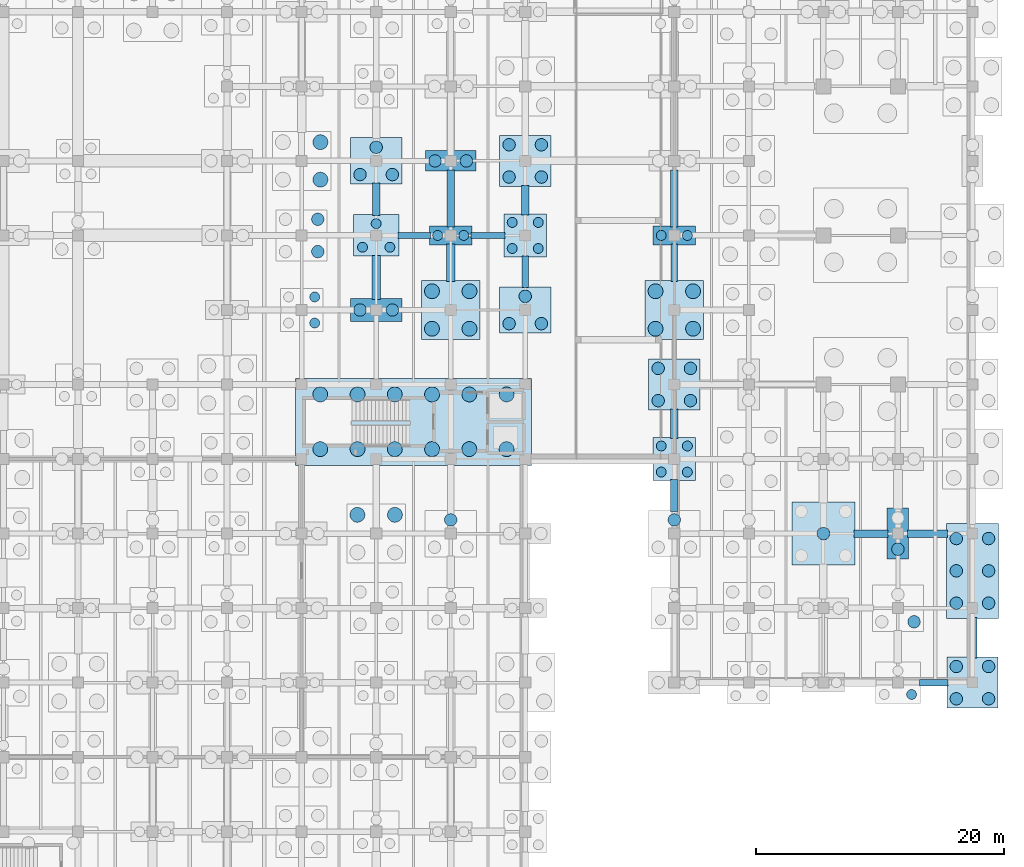
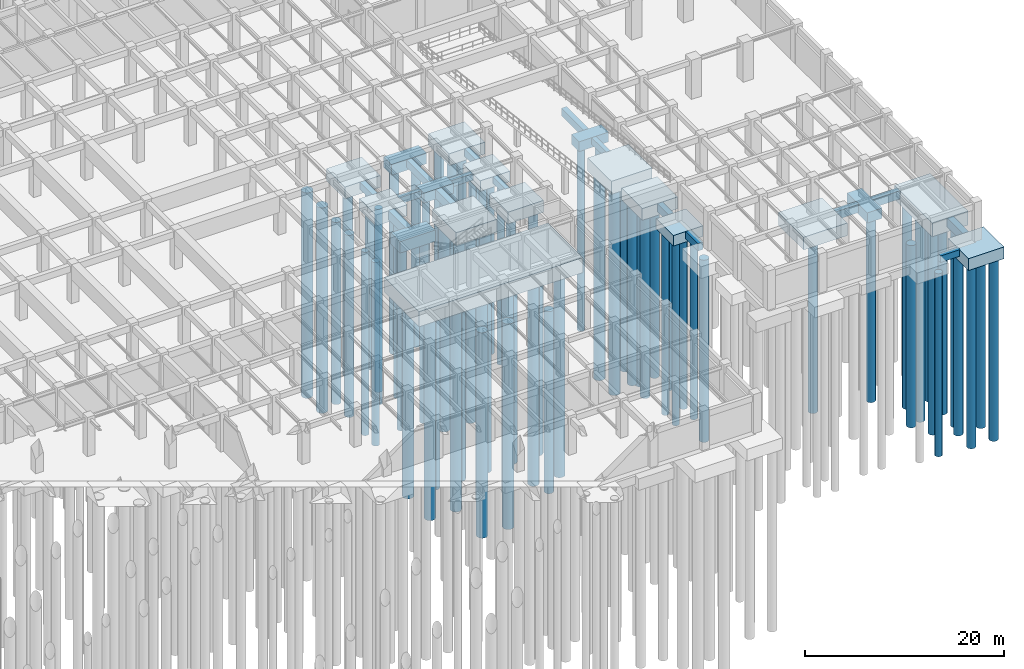
# One storey, part 18 of 54: 77 piles, 34 footings.
"""IFC4 building model written with IfcOpenShell, lengths in metres."""

from ifc_helpers import new_model, si_unit, direction, frame, origin, origin_2d, place, context, subcontext, project, spatial, rectangle, circle, extrude, material, material_profile, profile_set, type_object, element, save


model = new_model("IFC4")

# Units and contexts
model_context = context("Model", 3, precision=1e-05, world=origin(), true_north=direction((0.0, 1.0)))
body_context = subcontext(model_context, "Body", "Model", "MODEL_VIEW")
ifc_project = project(units=[si_unit("LENGTHUNIT", "METRE"), si_unit("AREAUNIT", "SQUARE_METRE"), si_unit("VOLUMEUNIT", "CUBIC_METRE"), si_unit("PLANEANGLEUNIT", "RADIAN"), si_unit("MASSUNIT", "GRAM", prefix="KILO"), si_unit("THERMODYNAMICTEMPERATUREUNIT", "KELVIN"), si_unit("POWERUNIT", "WATT")], contexts=[model_context])

# Site, building, storey
site_placement = place(None, origin())
site = spatial("IfcSite", under=ifc_project, at=site_placement, CompositionType="ELEMENT")
building_placement = place(site_placement, origin())
building = spatial("IfcBuilding", under=site, at=building_placement, Name="Phaisarnlok Congress Hotel", CompositionType="ELEMENT")
storey_placement = place(building_placement, frame((0.0, 0.0, -4.800048828125)))
storey = spatial("IfcBuildingStorey", under=building, at=storey_placement, Name="B01", CompositionType="ELEMENT", Elevation=-4.800048828125)

# Footings
ifc_material_1 = material(Name="Concrete C40/50", Category="concrete")
footing_type_1 = type_object("IfcFootingType", Name="CAP-2P-A", PredefinedType="PILE_CAP", material=ifc_material_1)
for number, where, z_axis, x_axis, name in (
    (1, (138.0, 54.0, -1.69970703125), (0.0, 0.0, 1.0), (1.0, 0.0, 0.0), "Pile cap PC-01 at (138,54)"),
    (2, (156.0, 54.0, -1.69970703125), (0.0, 0.0, 1.0), (1.0, 0.0, 0.0), "Pile cap PC-01 at (156,54)"),
):
    element("IfcFooting", number, at=place(storey_placement, frame(where, z_axis=z_axis, x_axis=x_axis)), inside=storey, type_object=footing_type_1, Name=name, PredefinedType="PILE_CAP", context=body_context, shape_type="SweptSolid", body=[
        extrude(rectangle(XDim=3.43994140625, YDim=1.5400390625, at=origin_2d()), origin(), (0.0, 0.0, 1.0), 1.199951171875),
    ])
footing_type_2 = type_object("IfcFootingType", Name="CAP-2P-B", PredefinedType="PILE_CAP", material=ifc_material_1)
footing_1_placement = place(storey_placement, frame((138.0, 60.0, -1.7998046875), z_axis=(0.0, 0.0, 1.0), x_axis=(1.0, 0.0, 0.0)))
element("IfcFooting", 3, at=footing_1_placement, inside=storey, type_object=footing_type_2, Name="Pile cap PC-02 at (138,60)", PredefinedType="PILE_CAP", context=body_context, shape_type="SweptSolid", body=[
    extrude(rectangle(XDim=4.080078125, YDim=1.639892578125, at=origin_2d()), origin(), (0.0, 0.0, 1.0), 1.300048828125),
])
footing_type_3 = type_object("IfcFootingType", Name="CAP-2P-C", PredefinedType="PILE_CAP", material=ifc_material_1)
footing_2_placement = place(storey_placement, frame((132.0, 48.0, -1.89990234375), z_axis=(0.0, 0.0, 1.0), x_axis=(1.0, 0.0, 0.0)))
element("IfcFooting", 4, at=footing_2_placement, inside=storey, type_object=footing_type_3, Name="Pile cap PC-03 at (132,48)", PredefinedType="PILE_CAP", context=body_context, shape_type="SweptSolid", body=[
    extrude(rectangle(XDim=4.1201171875, YDim=1.840087890625, at=origin_2d()), origin(), (0.0, 0.0, 1.0), 1.39990234375),
])
footing_type_4 = type_object("IfcFootingType", Name="CAP-2P-D", PredefinedType="PILE_CAP", material=ifc_material_1)
footing_3_placement = place(storey_placement, frame((174.0, 30.0, -1.75), z_axis=(0.0, 0.0, 1.0), x_axis=(1.0, 0.0, 0.0)))
element("IfcFooting", 5, at=footing_3_placement, inside=storey, type_object=footing_type_4, Name="Pile cap PC-14 at (174,30)", PredefinedType="PILE_CAP", context=body_context, shape_type="SweptSolid", body=[
    extrude(rectangle(XDim=1.719970703125, YDim=4.080078125, at=origin_2d()), origin(), (0.0, 0.0, 1.0), 1.25),
])
footing_type_5 = type_object("IfcFootingType", Name="CAP-3P-A", PredefinedType="PILE_CAP", material=ifc_material_1)
footing_4_placement = place(storey_placement, frame((132.0, 54.0, -1.85009765625), z_axis=(0.0, 0.0, 1.0), x_axis=(1.0, 0.0, 0.0)))
element("IfcFooting", 6, at=footing_4_placement, inside=storey, type_object=footing_type_5, Name="Pile cap PC-04 at (132,54)", PredefinedType="PILE_CAP", context=body_context, shape_type="SweptSolid", body=[
    extrude(rectangle(XDim=3.639892578125, YDim=3.340087890625, at=origin_2d()), origin(), (0.0, 0.0, 1.0), 1.35009765625),
])
footing_type_6 = type_object("IfcFootingType", Name="CAP-3P-B", PredefinedType="PILE_CAP", material=ifc_material_1)
for number, where, z_axis, x_axis, name in (
    (7, (132.0, 60.0, -1.94970703125), (0.0, 0.0, 1.0), (1.0, 0.0, 0.0), "Pile cap PC-05 at (132,60)"),
    (8, (144.0, 48.0, -1.94970703125), (0.0, 0.0, 1.0), (1.0, 0.0, 0.0), "Pile cap PC-05 at (144,48)"),
):
    element("IfcFooting", number, at=place(storey_placement, frame(where, z_axis=z_axis, x_axis=x_axis)), inside=storey, type_object=footing_type_6, Name=name, PredefinedType="PILE_CAP", context=body_context, shape_type="SweptSolid", body=[
        extrude(rectangle(XDim=4.1201171875, YDim=3.739990234375, at=origin_2d()), origin(), (0.0, 0.0, 1.0), 1.449951171875),
    ])
footing_type_7 = type_object("IfcFootingType", Name="CAP-4P-A", PredefinedType="PILE_CAP", material=ifc_material_1)
for number, where, z_axis, x_axis, name in (
    (9, (144.0, 54.0, -1.7998046875), (0.0, 0.0, 1.0), (1.0, 0.0, 0.0), "Pile cap PC-06 at (144,54)"),
    (10, (156.0, 36.0, -1.7998046875), (0.0, 0.0, 1.0), (1.0, 0.0, 0.0), "Pile cap PC-06 at (156,36)"),
):
    element("IfcFooting", number, at=place(storey_placement, frame(where, z_axis=z_axis, x_axis=x_axis)), inside=storey, type_object=footing_type_7, Name=name, PredefinedType="PILE_CAP", context=body_context, shape_type="SweptSolid", body=[
        extrude(rectangle(XDim=3.43994140625, YDim=3.43994140625, at=origin_2d()), origin(), (0.0, 0.0, 1.0), 1.300048828125),
    ])
footing_type_8 = type_object("IfcFootingType", Name="CAP-4P-B", PredefinedType="PILE_CAP", material=ifc_material_1)
for number, where, z_axis, x_axis, name in (
    (11, (144.0, 60.0, -1.94970703125), (0.0, 0.0, 1.0), (1.0, 0.0, 0.0), "Pile cap PC-07 at (144,60)"),
    (12, (156.0, 42.0, -1.94970703125), (0.0, 0.0, 1.0), (1.0, 0.0, 0.0), "Pile cap PC-07 at (156,42)"),
    (13, (180.0, 18.0, -1.94970703125), (0.0, 0.0, 1.0), (1.0, 0.0, 0.0), "Pile cap PC-07 at (180,18)"),
):
    element("IfcFooting", number, at=place(storey_placement, frame(where, z_axis=z_axis, x_axis=x_axis)), inside=storey, type_object=footing_type_8, Name=name, PredefinedType="PILE_CAP", context=body_context, shape_type="SweptSolid", body=[
        extrude(rectangle(XDim=4.1201171875, YDim=4.1201171875, at=origin_2d()), origin(), (0.0, 0.0, 1.0), 1.449951171875),
    ])
footing_type_9 = type_object("IfcFootingType", Name="CAP-4P-C", PredefinedType="PILE_CAP", material=ifc_material_1)
for number, where, z_axis, x_axis, name in (
    (14, (138.0, 48.0, -2.10009765625), (0.0, 0.0, 1.0), (1.0, 0.0, 0.0), "Pile cap PC-08 at (138,48)"),
    (15, (156.0, 48.0, -2.10009765625), (0.0, 0.0, 1.0), (1.0, 0.0, 0.0), "Pile cap PC-08 at (156,48)"),
):
    element("IfcFooting", number, at=place(storey_placement, frame(where, z_axis=z_axis, x_axis=x_axis)), inside=storey, type_object=footing_type_9, Name=name, PredefinedType="PILE_CAP", context=body_context, shape_type="SweptSolid", body=[
        extrude(rectangle(XDim=4.719970703125, YDim=4.760009765625, at=origin_2d()), origin(), (0.0, 0.0, 1.0), 1.60009765625),
    ])
footing_type_10 = type_object("IfcFootingType", Name="CAP-5P-A", PredefinedType="PILE_CAP", material=ifc_material_1)
footing_5_placement = place(storey_placement, frame((168.0, 30.0, -2.0498046875), z_axis=(0.0, 0.0, 1.0), x_axis=(1.0, 0.0, 0.0)))
element("IfcFooting", 16, at=footing_5_placement, inside=storey, type_object=footing_type_10, Name="Pile cap PC-13 at (168,30)", PredefinedType="PILE_CAP", context=body_context, shape_type="SweptSolid", body=[
    extrude(rectangle(XDim=5.080078125, YDim=5.080078125, at=origin_2d()), origin(), (0.0, 0.0, 1.0), 1.550048828125),
])
footing_type_11 = type_object("IfcFootingType", Name="CAP-6P-B", PredefinedType="PILE_CAP", material=ifc_material_1)
footing_6_placement = place(storey_placement, frame((180.0, 27.0, -2.19970703125), z_axis=(0.0, 0.0, 1.0), x_axis=(1.0, 0.0, 0.0)))
element("IfcFooting", 17, at=footing_6_placement, inside=storey, type_object=footing_type_11, Name="Combined pile cap PC-12 at (180,27)", PredefinedType="PILE_CAP", context=body_context, shape_type="SweptSolid", body=[
    extrude(rectangle(XDim=4.159912109375, YDim=7.639892578125, at=origin_2d()), origin(), (0.0, 0.0, 1.0), 1.699951171875),
])
footing_type_12 = type_object("IfcFootingType", Name="CAP-CORE-H", PredefinedType="PILE_CAP", material=ifc_material_1)
footing_7_placement = place(storey_placement, frame((135.0, 39.0, -2.35009765625), z_axis=(0.0, 0.0, 1.0), x_axis=(1.0, 0.0, 0.0)))
element("IfcFooting", 18, at=footing_7_placement, inside=storey, type_object=footing_type_12, Name="Core pile cap PC-15 (CORE-6)", PredefinedType="PILE_CAP", context=body_context, shape_type="SweptSolid", body=[
    extrude(rectangle(XDim=19.0, YDim=7.0, at=origin_2d()), origin(), (0.0, 0.0, 1.0), 1.85009765625),
])
ifc_material_profile_1 = material_profile(ifc_material_1, rectangle(XDim=0.5, YDim=0.800048828125, at=origin_2d()), Name="FB-500x800")
ifc_profile_set_1 = profile_set([ifc_material_profile_1], Name="Concrete C40/50")
footing_type_13 = type_object("IfcFootingType", Name="FB-500x800", PredefinedType="FOOTING_BEAM", material=ifc_profile_set_1)
footing_8_placement = place(storey_placement, frame((133.7451171875, 54.0, -0.89990234375), z_axis=(1.0, 0.0, 0.0), x_axis=(0.0, 1.0, 0.0)))
element("IfcFooting", 19, at=footing_8_placement, inside=storey, type_object=footing_type_13, Name="Ground tie beam FB-01", PredefinedType="FOOTING_BEAM", context=body_context, shape_type="SweptSolid", body=[
    extrude(rectangle(XDim=0.5, YDim=0.800048828125, at=origin_2d()), origin(), (0.0, 0.0, 1.0), 2.60986328125),
])
footing_9_placement = place(storey_placement, frame((139.64501953125, 54.0, -0.89990234375), z_axis=(1.0, 0.0, 0.0), x_axis=(0.0, 1.0, 0.0)))
element("IfcFooting", 20, at=footing_9_placement, inside=storey, type_object=footing_type_13, Name="Ground tie beam FB-01", PredefinedType="FOOTING_BEAM", context=body_context, shape_type="SweptSolid", body=[
    extrude(rectangle(XDim=0.5, YDim=0.800048828125, at=origin_2d()), origin(), (0.0, 0.0, 1.0), 2.7099609375),
])
footing_10_placement = place(storey_placement, frame((144.0, 49.794921875, -0.89990234375), z_axis=(0.0, 1.0, 0.0), x_axis=(-1.0, 0.0, 0.0)))
element("IfcFooting", 21, at=footing_10_placement, inside=storey, type_object=footing_type_13, Name="Ground tie beam FB-01", PredefinedType="FOOTING_BEAM", context=body_context, shape_type="SweptSolid", body=[
    extrude(rectangle(XDim=0.5, YDim=0.800048828125, at=origin_2d()), origin(), (0.0, 0.0, 1.0), 2.56005859375),
])
footing_11_placement = place(storey_placement, frame((156.0, 50.304931640625, -0.89990234375), z_axis=(0.0, 1.0, 0.0), x_axis=(-1.0, 0.0, 0.0)))
element("IfcFooting", 22, at=footing_11_placement, inside=storey, type_object=footing_type_13, Name="Ground tie beam FB-01", PredefinedType="FOOTING_BEAM", context=body_context, shape_type="SweptSolid", body=[
    extrude(rectangle(XDim=0.5, YDim=0.800048828125, at=origin_2d()), origin(), (0.0, 0.0, 1.0), 3.0),
])
footing_12_placement = place(storey_placement, frame((175.7451171875, 18.0, -0.89990234375), z_axis=(1.0, 0.0, 0.0), x_axis=(0.0, 1.0, 0.0)))
element("IfcFooting", 23, at=footing_12_placement, inside=storey, type_object=footing_type_13, Name="Ground tie beam FB-01", PredefinedType="FOOTING_BEAM", context=body_context, shape_type="SweptSolid", body=[
    extrude(rectangle(XDim=0.5, YDim=0.800048828125, at=origin_2d()), origin(), (0.0, 0.0, 1.0), 2.269775390625),
])
ifc_material_profile_2 = material_profile(ifc_material_1, rectangle(XDim=0.60009765625, YDim=1.0, at=origin_2d()), Name="FB-600x1000")
ifc_profile_set_2 = profile_set([ifc_material_profile_2], Name="Concrete C40/50")
footing_type_14 = type_object("IfcFootingType", Name="FB-600x1000", PredefinedType="FOOTING_BEAM", material=ifc_profile_set_2)
footing_13_placement = place(storey_placement, frame((156.0, 37.64501953125, -1.0), z_axis=(0.0, 1.0, 0.0), x_axis=(-1.0, 0.0, 0.0)))
element("IfcFooting", 24, at=footing_13_placement, inside=storey, type_object=footing_type_14, Name="Ground tie beam FB-03", PredefinedType="FOOTING_BEAM", context=body_context, shape_type="SweptSolid", body=[
    extrude(rectangle(XDim=0.60009765625, YDim=1.0, at=origin_2d()), origin(), (0.0, 0.0, 1.0), 2.369873046875),
])
footing_14_placement = place(storey_placement, frame((170.465087890625, 30.0, -1.0), z_axis=(1.0, 0.0, 0.0), x_axis=(0.0, 1.0, 0.0)))
element("IfcFooting", 25, at=footing_14_placement, inside=storey, type_object=footing_type_14, Name="Ground tie beam FB-03", PredefinedType="FOOTING_BEAM", context=body_context, shape_type="SweptSolid", body=[
    extrude(rectangle(XDim=0.60009765625, YDim=1.0, at=origin_2d()), origin(), (0.0, 0.0, 1.0), 2.75),
])
footing_15_placement = place(storey_placement, frame((174.784912109375, 30.0, -1.0), z_axis=(1.0, 0.0, 0.0), x_axis=(0.0, 1.0, 0.0)))
element("IfcFooting", 26, at=footing_15_placement, inside=storey, type_object=footing_type_14, Name="Ground tie beam FB-03", PredefinedType="FOOTING_BEAM", context=body_context, shape_type="SweptSolid", body=[
    extrude(rectangle(XDim=0.60009765625, YDim=1.0, at=origin_2d()), origin(), (0.0, 0.0, 1.0), 3.210205078125),
])
ifc_material_profile_3 = material_profile(ifc_material_1, rectangle(XDim=0.60009765625, YDim=0.89990234375, at=origin_2d()), Name="FB-600x900")
ifc_profile_set_3 = profile_set([ifc_material_profile_3], Name="Concrete C40/50")
footing_type_15 = type_object("IfcFootingType", Name="FB-600x900", PredefinedType="FOOTING_BEAM", material=ifc_profile_set_3)
footing_16_placement = place(storey_placement, frame((132.0, 55.594970703125, -0.949951171875), z_axis=(0.0, 1.0, 0.0), x_axis=(-1.0, 0.0, 0.0)))
element("IfcFooting", 27, at=footing_16_placement, inside=storey, type_object=footing_type_15, Name="Ground tie beam FB-02", PredefinedType="FOOTING_BEAM", context=body_context, shape_type="SweptSolid", body=[
    extrude(rectangle(XDim=0.60009765625, YDim=0.89990234375, at=origin_2d()), origin(), (0.0, 0.0, 1.0), 2.610107421875),
])
footing_17_placement = place(storey_placement, frame((138.0, 54.695068359375, -0.949951171875), z_axis=(0.0, 1.0, 0.0), x_axis=(-1.0, 0.0, 0.0)))
element("IfcFooting", 28, at=footing_17_placement, inside=storey, type_object=footing_type_15, Name="Ground tie beam FB-02", PredefinedType="FOOTING_BEAM", context=body_context, shape_type="SweptSolid", body=[
    extrude(rectangle(XDim=0.60009765625, YDim=0.89990234375, at=origin_2d()), origin(), (0.0, 0.0, 1.0), 4.559814453125),
])
footing_18_placement = place(storey_placement, frame((144.0, 55.64501953125, -0.949951171875), z_axis=(0.0, 1.0, 0.0), x_axis=(-1.0, 0.0, 0.0)))
element("IfcFooting", 29, at=footing_18_placement, inside=storey, type_object=footing_type_15, Name="Ground tie beam FB-02", PredefinedType="FOOTING_BEAM", context=body_context, shape_type="SweptSolid", body=[
    extrude(rectangle(XDim=0.60009765625, YDim=0.89990234375, at=origin_2d()), origin(), (0.0, 0.0, 1.0), 2.369873046875),
])
footing_19_placement = place(storey_placement, frame((156.0, 31.794921875, -0.949951171875), z_axis=(0.0, 1.0, 0.0), x_axis=(-1.0, 0.0, 0.0)))
element("IfcFooting", 30, at=footing_19_placement, inside=storey, type_object=footing_type_15, Name="Ground tie beam FB-02", PredefinedType="FOOTING_BEAM", context=body_context, shape_type="SweptSolid", body=[
    extrude(rectangle(XDim=0.60009765625, YDim=0.89990234375, at=origin_2d()), origin(), (0.0, 0.0, 1.0), 2.56005859375),
])
footing_20_placement = place(storey_placement, frame((156.0, 54.695068359375, -0.949951171875), z_axis=(0.0, 1.0, 0.0), x_axis=(-1.0, 0.0, 0.0)))
element("IfcFooting", 31, at=footing_20_placement, inside=storey, type_object=footing_type_15, Name="Ground tie beam FB-02", PredefinedType="FOOTING_BEAM", context=body_context, shape_type="SweptSolid", body=[
    extrude(rectangle(XDim=0.60009765625, YDim=0.89990234375, at=origin_2d()), origin(), (0.0, 0.0, 1.0), 4.559814453125),
])
ifc_material_profile_4 = material_profile(ifc_material_1, rectangle(XDim=0.699951171875, YDim=1.10009765625, at=origin_2d()), Name="FB-700x1100")
ifc_profile_set_4 = profile_set([ifc_material_profile_4], Name="Concrete C40/50")
footing_type_16 = type_object("IfcFootingType", Name="FB-700x1100", PredefinedType="FOOTING_BEAM", material=ifc_profile_set_4)
footing_21_placement = place(storey_placement, frame((132.0, 48.844970703125, -1.050048828125), z_axis=(0.0, 1.0, 0.0), x_axis=(-1.0, 0.0, 0.0)))
element("IfcFooting", 32, at=footing_21_placement, inside=storey, type_object=footing_type_16, Name="Ground tie beam FB-04", PredefinedType="FOOTING_BEAM", context=body_context, shape_type="SweptSolid", body=[
    extrude(rectangle(XDim=0.699951171875, YDim=1.10009765625, at=origin_2d()), origin(), (0.0, 0.0, 1.0), 3.56005859375),
])
footing_22_placement = place(storey_placement, frame((138.0, 50.304931640625, -1.050048828125), z_axis=(0.0, 1.0, 0.0), x_axis=(-1.0, 0.0, 0.0)))
element("IfcFooting", 33, at=footing_22_placement, inside=storey, type_object=footing_type_16, Name="Ground tie beam FB-04", PredefinedType="FOOTING_BEAM", context=body_context, shape_type="SweptSolid", body=[
    extrude(rectangle(XDim=0.699951171875, YDim=1.10009765625, at=origin_2d()), origin(), (0.0, 0.0, 1.0), 3.0),
])
footing_23_placement = place(storey_placement, frame((180.0, 19.985107421875, -1.050048828125), z_axis=(0.0, 1.0, 0.0), x_axis=(-1.0, 0.0, 0.0)))
element("IfcFooting", 34, at=footing_23_placement, inside=storey, type_object=footing_type_16, Name="Ground tie beam FB-04", PredefinedType="FOOTING_BEAM", context=body_context, shape_type="SweptSolid", body=[
    extrude(rectangle(XDim=0.699951171875, YDim=1.10009765625, at=origin_2d()), origin(), (0.0, 0.0, 1.0), 3.269775390625),
])

# Piles
ifc_material_2 = material(Name="Concrete C35/45", Category="concrete")
ifc_material_profile_5 = material_profile(ifc_material_2, circle(Radius=0.5, at=origin_2d()), Name="BORED PILE D1000")
ifc_profile_set_5 = profile_set([ifc_material_profile_5], Name="Concrete C35/45")
pile_type_1 = type_object("IfcPileType", Name="PILE-D1000", PredefinedType="BORED", material=ifc_profile_set_5)
for number, where, z_axis, x_axis, name in (
    (35, (178.699951171875, 24.39990234375, -2.099853515625), (0.0, 0.0, -1.0), (1.0, 0.0, 0.0), "Bored pile PL-02 (FTG-B01-180-024-1)"),
    (36, (181.300048828125, 24.39990234375, -2.099853515625), (0.0, 0.0, -1.0), (1.0, 0.0, 0.0), "Bored pile PL-02 (FTG-B01-180-024-2)"),
    (37, (178.699951171875, 27.0, -2.099853515625), (0.0, 0.0, -1.0), (1.0, 0.0, 0.0), "Bored pile PL-02 (FTG-B01-180-024-3)"),
    (38, (181.300048828125, 27.0, -2.099853515625), (0.0, 0.0, -1.0), (1.0, 0.0, 0.0), "Bored pile PL-02 (FTG-B01-180-024-4)"),
    (39, (178.699951171875, 29.60009765625, -2.099853515625), (0.0, 0.0, -1.0), (1.0, 0.0, 0.0), "Bored pile PL-02 (FTG-B01-180-024-5)"),
    (40, (181.300048828125, 29.60009765625, -2.099853515625), (0.0, 0.0, -1.0), (1.0, 0.0, 0.0), "Bored pile PL-02 (FTG-B01-180-024-6)"),
):
    element("IfcPile", number, at=place(storey_placement, frame(where, z_axis=z_axis, x_axis=x_axis)), inside=storey, type_object=pile_type_1, Name=name, PredefinedType="BORED", context=body_context, shape_type="SweptSolid", body=[
        extrude(circle(Radius=0.5, at=origin_2d()), origin(), (0.0, 0.0, 1.0), 25.10009765625),
    ])
for number, where, z_axis, x_axis, name in (
    (41, (127.300048828125, 52.699951171875, -1.849853515625), (0.0, 0.0, -1.0), (1.0, 0.0, 0.0), "Bored pile PL-02 (FTG-B01-126-054-2)"),
    (42, (127.300048828125, 55.300048828125, -1.849853515625), (0.0, 0.0, -1.0), (1.0, 0.0, 0.0), "Bored pile PL-02 (FTG-B01-126-054-4)"),
):
    element("IfcPile", number, at=place(storey_placement, frame(where, z_axis=z_axis, x_axis=x_axis)), inside=storey, type_object=pile_type_1, Name=name, PredefinedType="BORED", context=body_context, shape_type="SweptSolid", body=[
        extrude(circle(Radius=0.5, at=origin_2d()), origin(), (0.0, 0.0, 1.0), 22.35009765625),
    ])
for number, where, z_axis, x_axis, name in (
    (43, (130.699951171875, 48.0, -1.800048828125), (0.0, 0.0, -1.0), (1.0, 0.0, 0.0), "Bored pile PL-02 (FTG-B01-132-048-1)"),
    (44, (133.300048828125, 48.0, -1.800048828125), (0.0, 0.0, -1.0), (1.0, 0.0, 0.0), "Bored pile PL-02 (FTG-B01-132-048-2)"),
):
    element("IfcPile", number, at=place(storey_placement, frame(where, z_axis=z_axis, x_axis=x_axis)), inside=storey, type_object=pile_type_1, Name=name, PredefinedType="BORED", context=body_context, shape_type="SweptSolid", body=[
        extrude(circle(Radius=0.5, at=origin_2d()), origin(), (0.0, 0.0, 1.0), 22.39990234375),
    ])
for number, where, z_axis, x_axis, name in (
    (45, (130.699951171875, 58.89990234375, -1.849853515625), (0.0, 0.0, -1.0), (1.0, 0.0, 0.0), "Bored pile PL-02 (FTG-B01-132-060-1)"),
    (46, (133.300048828125, 58.89990234375, -1.849853515625), (0.0, 0.0, -1.0), (1.0, 0.0, 0.0), "Bored pile PL-02 (FTG-B01-132-060-2)"),
    (47, (132.0, 61.10009765625, -1.849853515625), (0.0, 0.0, -1.0), (1.0, 0.0, 0.0), "Bored pile PL-02 (FTG-B01-132-060-3)"),
    (48, (138.0, 31.10009765625, -1.849853515625), (0.0, 0.0, -1.0), (1.0, 0.0, 0.0), "Bored pile PL-02 (FTG-B01-138-030-3)"),
):
    element("IfcPile", number, at=place(storey_placement, frame(where, z_axis=z_axis, x_axis=x_axis)), inside=storey, type_object=pile_type_1, Name=name, PredefinedType="BORED", context=body_context, shape_type="SweptSolid", body=[
        extrude(circle(Radius=0.5, at=origin_2d()), origin(), (0.0, 0.0, 1.0), 22.35009765625),
    ])
for number, where, z_axis, x_axis, name in (
    (49, (136.739990234375, 60.0, -1.699951171875), (0.0, 0.0, -1.0), (1.0, 0.0, 0.0), "Bored pile PL-02 (FTG-B01-138-060-1)"),
    (50, (139.260009765625, 60.0, -1.699951171875), (0.0, 0.0, -1.0), (1.0, 0.0, 0.0), "Bored pile PL-02 (FTG-B01-138-060-2)"),
):
    element("IfcPile", number, at=place(storey_placement, frame(where, z_axis=z_axis, x_axis=x_axis)), inside=storey, type_object=pile_type_1, Name=name, PredefinedType="BORED", context=body_context, shape_type="SweptSolid", body=[
        extrude(circle(Radius=0.5, at=origin_2d()), origin(), (0.0, 0.0, 1.0), 22.5),
    ])
for number, where, z_axis, x_axis, name in (
    (51, (142.699951171875, 46.89990234375, -1.849853515625), (0.0, 0.0, -1.0), (1.0, 0.0, 0.0), "Bored pile PL-02 (FTG-B01-144-048-1)"),
    (52, (145.300048828125, 46.89990234375, -1.849853515625), (0.0, 0.0, -1.0), (1.0, 0.0, 0.0), "Bored pile PL-02 (FTG-B01-144-048-2)"),
    (53, (144.0, 49.10009765625, -1.849853515625), (0.0, 0.0, -1.0), (1.0, 0.0, 0.0), "Bored pile PL-02 (FTG-B01-144-048-3)"),
    (54, (142.699951171875, 58.699951171875, -1.849853515625), (0.0, 0.0, -1.0), (1.0, 0.0, 0.0), "Bored pile PL-02 (FTG-B01-144-060-1)"),
    (55, (145.300048828125, 58.699951171875, -1.849853515625), (0.0, 0.0, -1.0), (1.0, 0.0, 0.0), "Bored pile PL-02 (FTG-B01-144-060-2)"),
    (56, (142.699951171875, 61.300048828125, -1.849853515625), (0.0, 0.0, -1.0), (1.0, 0.0, 0.0), "Bored pile PL-02 (FTG-B01-144-060-3)"),
    (57, (145.300048828125, 61.300048828125, -1.849853515625), (0.0, 0.0, -1.0), (1.0, 0.0, 0.0), "Bored pile PL-02 (FTG-B01-144-060-4)"),
    (58, (156.0, 31.10009765625, -1.849853515625), (0.0, 0.0, -1.0), (1.0, 0.0, 0.0), "Bored pile PL-02 (FTG-B01-156-030-3)"),
    (59, (154.699951171875, 40.699951171875, -1.849853515625), (0.0, 0.0, -1.0), (1.0, 0.0, 0.0), "Bored pile PL-02 (FTG-B01-156-042-1)"),
    (60, (157.300048828125, 40.699951171875, -1.849853515625), (0.0, 0.0, -1.0), (1.0, 0.0, 0.0), "Bored pile PL-02 (FTG-B01-156-042-2)"),
    (61, (154.699951171875, 43.300048828125, -1.849853515625), (0.0, 0.0, -1.0), (1.0, 0.0, 0.0), "Bored pile PL-02 (FTG-B01-156-042-3)"),
    (62, (157.300048828125, 43.300048828125, -1.849853515625), (0.0, 0.0, -1.0), (1.0, 0.0, 0.0), "Bored pile PL-02 (FTG-B01-156-042-4)"),
):
    element("IfcPile", number, at=place(storey_placement, frame(where, z_axis=z_axis, x_axis=x_axis)), inside=storey, type_object=pile_type_1, Name=name, PredefinedType="BORED", context=body_context, shape_type="SweptSolid", body=[
        extrude(circle(Radius=0.5, at=origin_2d()), origin(), (0.0, 0.0, 1.0), 22.35009765625),
    ])
pile_1_placement = place(storey_placement, frame((168.0, 30.0, -1.949951171875), z_axis=(0.0, 0.0, -1.0), x_axis=(1.0, 0.0, 0.0)))
element("IfcPile", 63, at=pile_1_placement, inside=storey, type_object=pile_type_1, Name="Bored pile PL-02 (FTG-B01-168-030-3)", PredefinedType="BORED", context=body_context, shape_type="SweptSolid", body=[
    extrude(circle(Radius=0.5, at=origin_2d()), origin(), (0.0, 0.0, 1.0), 22.25),
])
pile_2_placement = place(storey_placement, frame((175.300048828125, 22.89990234375, -1.849853515625), z_axis=(0.0, 0.0, -1.0), x_axis=(1.0, 0.0, 0.0)))
element("IfcPile", 64, at=pile_2_placement, inside=storey, type_object=pile_type_1, Name="Bored pile PL-02 (FTG-B01-174-024-2)", PredefinedType="BORED", context=body_context, shape_type="SweptSolid", body=[
    extrude(circle(Radius=0.5, at=origin_2d()), origin(), (0.0, 0.0, 1.0), 22.35009765625),
])
pile_3_placement = place(storey_placement, frame((174.0, 28.739990234375, -1.64990234375), z_axis=(0.0, 0.0, -1.0), x_axis=(1.0, 0.0, 0.0)))
element("IfcPile", 65, at=pile_3_placement, inside=storey, type_object=pile_type_1, Name="Bored pile PL-02 (FTG-B01-174-030-1)", PredefinedType="BORED", context=body_context, shape_type="SweptSolid", body=[
    extrude(circle(Radius=0.5, at=origin_2d()), origin(), (0.0, 0.0, 1.0), 22.550048828125),
])
for number, where, z_axis, x_axis, name in (
    (66, (178.699951171875, 16.699951171875, -1.849853515625), (0.0, 0.0, -1.0), (1.0, 0.0, 0.0), "Bored pile PL-02 (FTG-B01-180-018-1)"),
    (67, (181.300048828125, 16.699951171875, -1.849853515625), (0.0, 0.0, -1.0), (1.0, 0.0, 0.0), "Bored pile PL-02 (FTG-B01-180-018-2)"),
    (68, (178.699951171875, 19.300048828125, -1.849853515625), (0.0, 0.0, -1.0), (1.0, 0.0, 0.0), "Bored pile PL-02 (FTG-B01-180-018-3)"),
    (69, (181.300048828125, 19.300048828125, -1.849853515625), (0.0, 0.0, -1.0), (1.0, 0.0, 0.0), "Bored pile PL-02 (FTG-B01-180-018-4)"),
):
    element("IfcPile", number, at=place(storey_placement, frame(where, z_axis=z_axis, x_axis=x_axis)), inside=storey, type_object=pile_type_1, Name=name, PredefinedType="BORED", context=body_context, shape_type="SweptSolid", body=[
        extrude(circle(Radius=0.5, at=origin_2d()), origin(), (0.0, 0.0, 1.0), 22.35009765625),
    ])
ifc_material_profile_6 = material_profile(ifc_material_2, circle(Radius=0.60009765625, at=origin_2d()), Name="BORED PILE D1200")
ifc_profile_set_6 = profile_set([ifc_material_profile_6], Name="Concrete C35/45")
pile_type_2 = type_object("IfcPileType", Name="PILE-D1200", PredefinedType="BORED", material=ifc_profile_set_6)
for number, where, z_axis, x_axis, name in (
    (70, (127.5, 36.800048828125, -2.25), (0.0, 0.0, -1.0), (1.0, 0.0, 0.0), "Bored pile PL-03 (CORE-6-01)"),
    (71, (127.5, 41.199951171875, -2.25), (0.0, 0.0, -1.0), (1.0, 0.0, 0.0), "Bored pile PL-03 (CORE-6-02)"),
    (72, (130.5, 36.800048828125, -2.25), (0.0, 0.0, -1.0), (1.0, 0.0, 0.0), "Bored pile PL-03 (CORE-6-03)"),
    (73, (130.5, 41.199951171875, -2.25), (0.0, 0.0, -1.0), (1.0, 0.0, 0.0), "Bored pile PL-03 (CORE-6-04)"),
    (74, (133.5, 36.800048828125, -2.25), (0.0, 0.0, -1.0), (1.0, 0.0, 0.0), "Bored pile PL-03 (CORE-6-05)"),
    (75, (133.5, 41.199951171875, -2.25), (0.0, 0.0, -1.0), (1.0, 0.0, 0.0), "Bored pile PL-03 (CORE-6-06)"),
    (76, (136.5, 36.800048828125, -2.25), (0.0, 0.0, -1.0), (1.0, 0.0, 0.0), "Bored pile PL-03 (CORE-6-07)"),
    (77, (136.5, 41.199951171875, -2.25), (0.0, 0.0, -1.0), (1.0, 0.0, 0.0), "Bored pile PL-03 (CORE-6-08)"),
    (78, (139.5, 36.800048828125, -2.25), (0.0, 0.0, -1.0), (1.0, 0.0, 0.0), "Bored pile PL-03 (CORE-6-09)"),
    (79, (139.5, 41.199951171875, -2.25), (0.0, 0.0, -1.0), (1.0, 0.0, 0.0), "Bored pile PL-03 (CORE-6-10)"),
    (80, (142.5, 36.800048828125, -2.25), (0.0, 0.0, -1.0), (1.0, 0.0, 0.0), "Bored pile PL-03 (CORE-6-11)"),
    (81, (142.5, 41.199951171875, -2.25), (0.0, 0.0, -1.0), (1.0, 0.0, 0.0), "Bored pile PL-03 (CORE-6-12)"),
):
    element("IfcPile", number, at=place(storey_placement, frame(where, z_axis=z_axis, x_axis=x_axis)), inside=storey, type_object=pile_type_2, Name=name, PredefinedType="BORED", context=body_context, shape_type="SweptSolid", body=[
        extrude(circle(Radius=0.60009765625, at=origin_2d()), origin(), (0.0, 0.0, 1.0), 24.949951171875),
    ])
for number, where, z_axis, x_axis, name in (
    (82, (127.510009765625, 58.489990234375, -2.0), (0.0, 0.0, -1.0), (1.0, 0.0, 0.0), "Bored pile PL-03 (FTG-B01-126-060-2)"),
    (83, (127.510009765625, 61.510009765625, -2.0), (0.0, 0.0, -1.0), (1.0, 0.0, 0.0), "Bored pile PL-03 (FTG-B01-126-060-4)"),
    (84, (130.489990234375, 31.510009765625, -2.0), (0.0, 0.0, -1.0), (1.0, 0.0, 0.0), "Bored pile PL-03 (FTG-B01-132-030-3)"),
    (85, (133.510009765625, 31.510009765625, -2.0), (0.0, 0.0, -1.0), (1.0, 0.0, 0.0), "Bored pile PL-03 (FTG-B01-132-030-4)"),
    (86, (136.489990234375, 46.489990234375, -2.0), (0.0, 0.0, -1.0), (1.0, 0.0, 0.0), "Bored pile PL-03 (FTG-B01-138-048-1)"),
    (87, (139.510009765625, 46.489990234375, -2.0), (0.0, 0.0, -1.0), (1.0, 0.0, 0.0), "Bored pile PL-03 (FTG-B01-138-048-2)"),
    (88, (136.489990234375, 49.510009765625, -2.0), (0.0, 0.0, -1.0), (1.0, 0.0, 0.0), "Bored pile PL-03 (FTG-B01-138-048-3)"),
    (89, (139.510009765625, 49.510009765625, -2.0), (0.0, 0.0, -1.0), (1.0, 0.0, 0.0), "Bored pile PL-03 (FTG-B01-138-048-4)"),
    (90, (154.489990234375, 46.489990234375, -2.0), (0.0, 0.0, -1.0), (1.0, 0.0, 0.0), "Bored pile PL-03 (FTG-B01-156-048-1)"),
    (91, (157.510009765625, 46.489990234375, -2.0), (0.0, 0.0, -1.0), (1.0, 0.0, 0.0), "Bored pile PL-03 (FTG-B01-156-048-2)"),
    (92, (154.489990234375, 49.510009765625, -2.0), (0.0, 0.0, -1.0), (1.0, 0.0, 0.0), "Bored pile PL-03 (FTG-B01-156-048-3)"),
    (93, (157.510009765625, 49.510009765625, -2.0), (0.0, 0.0, -1.0), (1.0, 0.0, 0.0), "Bored pile PL-03 (FTG-B01-156-048-4)"),
):
    element("IfcPile", number, at=place(storey_placement, frame(where, z_axis=z_axis, x_axis=x_axis)), inside=storey, type_object=pile_type_2, Name=name, PredefinedType="BORED", context=body_context, shape_type="SweptSolid", body=[
        extrude(circle(Radius=0.60009765625, at=origin_2d()), origin(), (0.0, 0.0, 1.0), 25.199951171875),
    ])
ifc_material_profile_7 = material_profile(ifc_material_2, circle(Radius=0.39990234375, at=origin_2d()), Name="BORED PILE D800")
ifc_profile_set_7 = profile_set([ifc_material_profile_7], Name="Concrete C35/45")
pile_type_3 = type_object("IfcPileType", Name="PILE-D800", PredefinedType="BORED", material=ifc_profile_set_7)
for number, where, z_axis, x_axis, name in (
    (94, (127.050048828125, 46.949951171875, -1.699951171875), (0.0, 0.0, -1.0), (1.0, 0.0, 0.0), "Bored pile PL-01 (FTG-B01-126-048-2)"),
    (95, (127.050048828125, 49.050048828125, -1.699951171875), (0.0, 0.0, -1.0), (1.0, 0.0, 0.0), "Bored pile PL-01 (FTG-B01-126-048-4)"),
):
    element("IfcPile", number, at=place(storey_placement, frame(where, z_axis=z_axis, x_axis=x_axis)), inside=storey, type_object=pile_type_3, Name=name, PredefinedType="BORED", context=body_context, shape_type="SweptSolid", body=[
        extrude(circle(Radius=0.39990234375, at=origin_2d()), origin(), (0.0, 0.0, 1.0), 22.5),
    ])
for number, where, z_axis, x_axis, name in (
    (96, (130.89990234375, 53.050048828125, -1.75), (0.0, 0.0, -1.0), (1.0, 0.0, 0.0), "Bored pile PL-01 (FTG-B01-132-054-1)"),
    (97, (133.10009765625, 53.050048828125, -1.75), (0.0, 0.0, -1.0), (1.0, 0.0, 0.0), "Bored pile PL-01 (FTG-B01-132-054-2)"),
    (98, (132.0, 54.949951171875, -1.75), (0.0, 0.0, -1.0), (1.0, 0.0, 0.0), "Bored pile PL-01 (FTG-B01-132-054-3)"),
):
    element("IfcPile", number, at=place(storey_placement, frame(where, z_axis=z_axis, x_axis=x_axis)), inside=storey, type_object=pile_type_3, Name=name, PredefinedType="BORED", context=body_context, shape_type="SweptSolid", body=[
        extrude(circle(Radius=0.39990234375, at=origin_2d()), origin(), (0.0, 0.0, 1.0), 22.449951171875),
    ])
for number, where, z_axis, x_axis, name in (
    (99, (136.949951171875, 54.0, -1.599853515625), (0.0, 0.0, -1.0), (1.0, 0.0, 0.0), "Bored pile PL-01 (FTG-B01-138-054-1)"),
    (100, (139.050048828125, 54.0, -1.599853515625), (0.0, 0.0, -1.0), (1.0, 0.0, 0.0), "Bored pile PL-01 (FTG-B01-138-054-2)"),
):
    element("IfcPile", number, at=place(storey_placement, frame(where, z_axis=z_axis, x_axis=x_axis)), inside=storey, type_object=pile_type_3, Name=name, PredefinedType="BORED", context=body_context, shape_type="SweptSolid", body=[
        extrude(circle(Radius=0.39990234375, at=origin_2d()), origin(), (0.0, 0.0, 1.0), 22.60009765625),
    ])
for number, where, z_axis, x_axis, name in (
    (101, (142.949951171875, 52.949951171875, -1.699951171875), (0.0, 0.0, -1.0), (1.0, 0.0, 0.0), "Bored pile PL-01 (FTG-B01-144-054-1)"),
    (102, (145.050048828125, 52.949951171875, -1.699951171875), (0.0, 0.0, -1.0), (1.0, 0.0, 0.0), "Bored pile PL-01 (FTG-B01-144-054-2)"),
    (103, (142.949951171875, 55.050048828125, -1.699951171875), (0.0, 0.0, -1.0), (1.0, 0.0, 0.0), "Bored pile PL-01 (FTG-B01-144-054-3)"),
    (104, (145.050048828125, 55.050048828125, -1.699951171875), (0.0, 0.0, -1.0), (1.0, 0.0, 0.0), "Bored pile PL-01 (FTG-B01-144-054-4)"),
    (105, (154.949951171875, 34.949951171875, -1.699951171875), (0.0, 0.0, -1.0), (1.0, 0.0, 0.0), "Bored pile PL-01 (FTG-B01-156-036-1)"),
    (106, (157.050048828125, 34.949951171875, -1.699951171875), (0.0, 0.0, -1.0), (1.0, 0.0, 0.0), "Bored pile PL-01 (FTG-B01-156-036-2)"),
    (107, (154.949951171875, 37.050048828125, -1.699951171875), (0.0, 0.0, -1.0), (1.0, 0.0, 0.0), "Bored pile PL-01 (FTG-B01-156-036-3)"),
    (108, (157.050048828125, 37.050048828125, -1.699951171875), (0.0, 0.0, -1.0), (1.0, 0.0, 0.0), "Bored pile PL-01 (FTG-B01-156-036-4)"),
):
    element("IfcPile", number, at=place(storey_placement, frame(where, z_axis=z_axis, x_axis=x_axis)), inside=storey, type_object=pile_type_3, Name=name, PredefinedType="BORED", context=body_context, shape_type="SweptSolid", body=[
        extrude(circle(Radius=0.39990234375, at=origin_2d()), origin(), (0.0, 0.0, 1.0), 22.5),
    ])
for number, where, z_axis, x_axis, name in (
    (109, (154.949951171875, 54.0, -1.599853515625), (0.0, 0.0, -1.0), (1.0, 0.0, 0.0), "Bored pile PL-01 (FTG-B01-156-054-1)"),
    (110, (157.050048828125, 54.0, -1.599853515625), (0.0, 0.0, -1.0), (1.0, 0.0, 0.0), "Bored pile PL-01 (FTG-B01-156-054-2)"),
):
    element("IfcPile", number, at=place(storey_placement, frame(where, z_axis=z_axis, x_axis=x_axis)), inside=storey, type_object=pile_type_3, Name=name, PredefinedType="BORED", context=body_context, shape_type="SweptSolid", body=[
        extrude(circle(Radius=0.39990234375, at=origin_2d()), origin(), (0.0, 0.0, 1.0), 22.60009765625),
    ])
pile_4_placement = place(storey_placement, frame((175.10009765625, 17.050048828125, -1.75), z_axis=(0.0, 0.0, -1.0), x_axis=(1.0, 0.0, 0.0)))
element("IfcPile", 111, at=pile_4_placement, inside=storey, type_object=pile_type_3, Name="Bored pile PL-01 (FTG-B01-174-018-2)", PredefinedType="BORED", context=body_context, shape_type="SweptSolid", body=[
    extrude(circle(Radius=0.39990234375, at=origin_2d()), origin(), (0.0, 0.0, 1.0), 22.449951171875),
])

save(model, "model.ifc")
